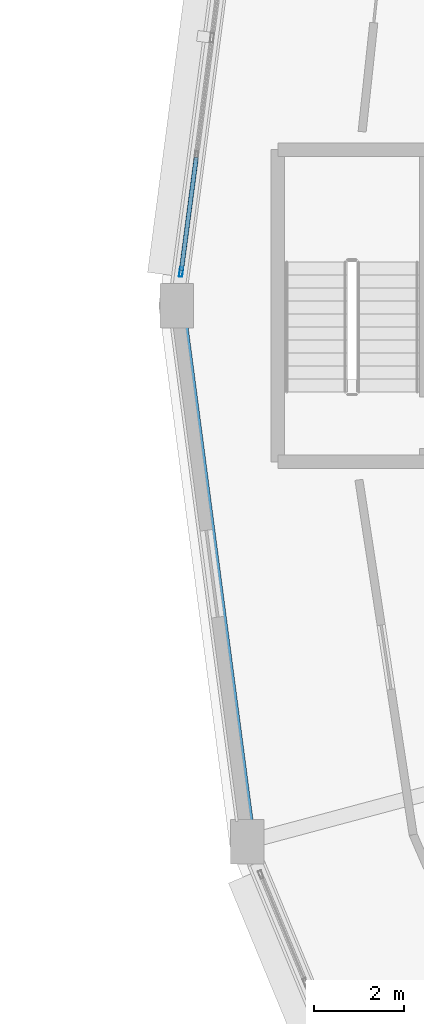
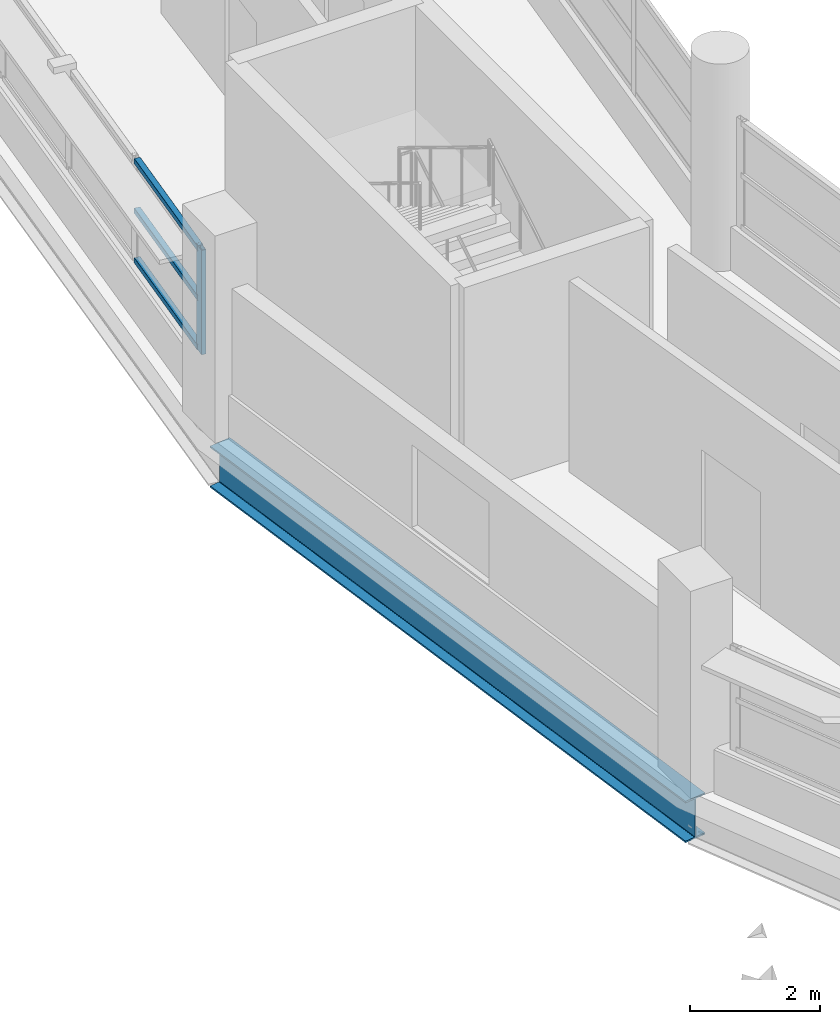
# One storey, part 28 of 108: 4 members, 1 beam, 1 element without a shape of its own.
"""IFC4 building model written with IfcOpenShell, lengths in metres."""

from ifc_helpers import new_model, si_unit, direction, frame, origin, origin_2d, place, context, subcontext, project, spatial, hollow_rectangle, i_section, extrude, material, layer, layer_set, material_profile, profile_set, type_object, element, aggregate, save


model = new_model("IFC4")

# Units and contexts
model_context = context("Model", 3, precision=1e-05, world=origin(), true_north=direction((0.0, 1.0)))
body_context = subcontext(model_context, "Body", "Model", "MODEL_VIEW")
ifc_project = project(units=[si_unit("LENGTHUNIT", "METRE"), si_unit("AREAUNIT", "SQUARE_METRE"), si_unit("VOLUMEUNIT", "CUBIC_METRE"), si_unit("PLANEANGLEUNIT", "RADIAN"), si_unit("MASSUNIT", "GRAM", prefix="KILO")], contexts=[model_context])

# Site, building, storey
site_placement = place(None, origin())
site = spatial("IfcSite", under=ifc_project, at=site_placement, CompositionType="ELEMENT")
building_placement = place(site_placement, origin())
building = spatial("IfcBuilding", under=site, at=building_placement, Name="Vespera Passage Community Centre", CompositionType="ELEMENT")
storey_placement = place(building_placement, frame((0.0, 0.0, 12.60009765625)))
storey = spatial("IfcBuildingStorey", under=building, at=storey_placement, Name="L03", CompositionType="ELEMENT", Elevation=12.60009765625)

# Beam
ifc_material_1 = material(Name="Steel ASTM A992 Grade 50", Category="steel")
ifc_material_profile_1 = material_profile(ifc_material_1, i_section(OverallWidth=0.382080078125, OverallDepth=0.779296875, WebThickness=0.01806640625, FlangeThickness=0.030029296875, FilletRadius=0.0166015625, at=origin_2d()), Name="W30X191")
ifc_profile_set_1 = profile_set([ifc_material_profile_1], Name="Steel ASTM A992 Grade 50")
beam_type = type_object("IfcBeamType", Name="BM-SP-W30X191E", PredefinedType="SPANDREL", material=ifc_profile_set_1)
beam_placement = place(storey_placement, frame((31.89990234375, 65.5, -0.789794921875), z_axis=(0.130523782115, -0.991445178667, 0.0), x_axis=(0.991445178667, 0.130523782115, 0.0)))
element("IfcBeam", 1, at=beam_placement, inside=storey, type_object=beam_type, Name="V4 L03 Outer Spandrel 12", PredefinedType="SPANDREL", context=body_context, shape_type="SweptSolid", body=[
    extrude(i_section(OverallWidth=0.382080078125, OverallDepth=0.779296875, WebThickness=0.01806640625, FlangeThickness=0.030029296875, FilletRadius=0.0166015625, at=origin_2d()), origin(), (0.0, 0.0, 1.0), 12.03466796875),
])

# Curtain wall, members
ifc_material_2 = material(Name="Anodized aluminium 6063-T6", Category="aluminium")
ifc_layer = layer(ifc_material_2, 0.159912109375)
ifc_layer_set = layer_set([ifc_layer], Name="Anodized aluminium 6063-T6")
curtain_wall_type = type_object("IfcCurtainWallType", Name="CW-47E", PredefinedType="NOTDEFINED", material=ifc_layer_set)
curtain_wall_placement = place(storey_placement, origin())
curtain_wall = element("IfcCurtainWall", 2, at=curtain_wall_placement, inside=storey, type_object=curtain_wall_type, Name="V4 L03 Outer Ribbon Curtain Wall 11", PredefinedType="NOTDEFINED")
ifc_material_3 = material(Name="Anodized aluminium 6063-T6", Category="aluminium")
ifc_material_profile_2 = material_profile(ifc_material_3, hollow_rectangle(XDim=0.074951171875, YDim=0.2099609375, WallThickness=0.0048828125, InnerFilletRadius=0.00244140625, OuterFilletRadius=0.0048828125, at=origin_2d()), Name="ALU210X75X5")
ifc_profile_set_2 = profile_set([ifc_material_profile_2], Name="Anodized aluminium 6063-T6")
member_type_1 = type_object("IfcMemberType", Name="MB-CWM-210E", PredefinedType="MULLION", material=ifc_profile_set_2)
member_1_placement = place(storey_placement, frame((31.998779296875, 66.25048828125, 0.81982421875), z_axis=(0.0, 0.0, 1.0), x_axis=(-0.991445298818, 0.130522869458, 0.0)))
member_1 = element("IfcMember", 3, at=member_1_placement, type_object=member_type_1, Name="CW-47E mullion 1", PredefinedType="MULLION", context=body_context, shape_type="SweptSolid", body=[
    extrude(hollow_rectangle(XDim=0.074951171875, YDim=0.2099609375, WallThickness=0.0048828125, InnerFilletRadius=0.00244140625, OuterFilletRadius=0.0048828125, at=origin_2d()), origin(), (0.0, 0.0, 1.0), 1.965576171875),
])
ifc_material_4 = material(Name="Anodized aluminium 6063-T6", Category="aluminium")
ifc_material_profile_3 = material_profile(ifc_material_4, hollow_rectangle(XDim=0.10009765625, YDim=0.10009765625, WallThickness=0.00390625, InnerFilletRadius=0.001953125, OuterFilletRadius=0.00390625, at=origin_2d()), Name="ALU100X100X4")
ifc_profile_set_3 = profile_set([ifc_material_profile_3], Name="Anodized aluminium 6063-T6")
member_type_2 = type_object("IfcMemberType", Name="MB-CWT-100E", PredefinedType="USERDEFINED", material=ifc_profile_set_3)
member_2_placement = place(storey_placement, frame((32.003662109375, 66.28759765625, 0.869873046875), z_axis=(0.130524231271, 0.991445119536, 0.0), x_axis=(-0.991445119536, 0.130524231271, 0.0)))
member_2 = element("IfcMember", 4, at=member_2_placement, type_object=member_type_2, Name="CW-47E transom 1.1", ObjectType="TRANSOM", PredefinedType="USERDEFINED", context=body_context, shape_type="SweptSolid", body=[
    extrude(hollow_rectangle(XDim=0.10009765625, YDim=0.10009765625, WallThickness=0.00390625, InnerFilletRadius=0.001953125, OuterFilletRadius=0.00390625, at=origin_2d()), origin(), (0.0, 0.0, 1.0), 2.536376953125),
])
member_3_placement = place(storey_placement, frame((32.003662109375, 66.28759765625, 1.802734375), z_axis=(0.130524231271, 0.991445119536, 0.0), x_axis=(-0.991445119536, 0.130524231271, 0.0)))
member_3 = element("IfcMember", 5, at=member_3_placement, type_object=member_type_2, Name="CW-47E transom 1.2", ObjectType="TRANSOM", PredefinedType="USERDEFINED", context=body_context, shape_type="SweptSolid", body=[
    extrude(hollow_rectangle(XDim=0.10009765625, YDim=0.10009765625, WallThickness=0.00390625, InnerFilletRadius=0.001953125, OuterFilletRadius=0.00390625, at=origin_2d()), origin(), (0.0, 0.0, 1.0), 2.536376953125),
])
member_4_placement = place(storey_placement, frame((32.003662109375, 66.28759765625, 2.735595703125), z_axis=(0.130524231271, 0.991445119536, 0.0), x_axis=(-0.991445119536, 0.130524231271, 0.0)))
member_4 = element("IfcMember", 6, at=member_4_placement, type_object=member_type_2, Name="CW-47E transom 1.3", ObjectType="TRANSOM", PredefinedType="USERDEFINED", context=body_context, shape_type="SweptSolid", body=[
    extrude(hollow_rectangle(XDim=0.10009765625, YDim=0.10009765625, WallThickness=0.00390625, InnerFilletRadius=0.001953125, OuterFilletRadius=0.00390625, at=origin_2d()), origin(), (0.0, 0.0, 1.0), 2.536376953125),
])
aggregate(curtain_wall, [member_1, member_2, member_3, member_4])

save(model, "model.ifc")
